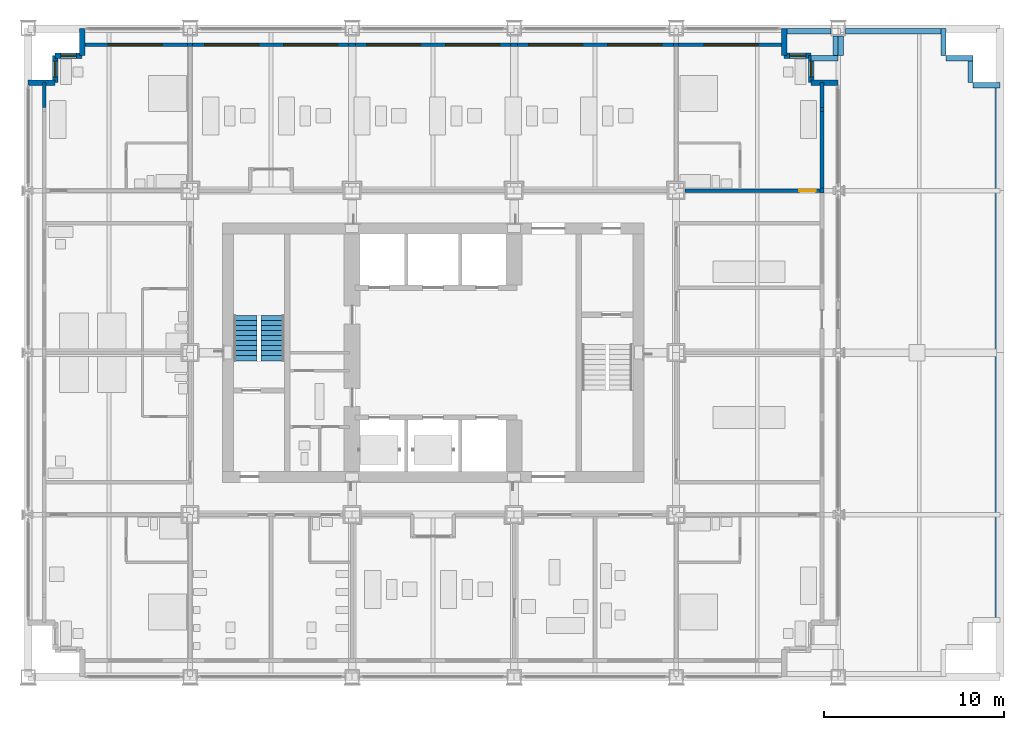
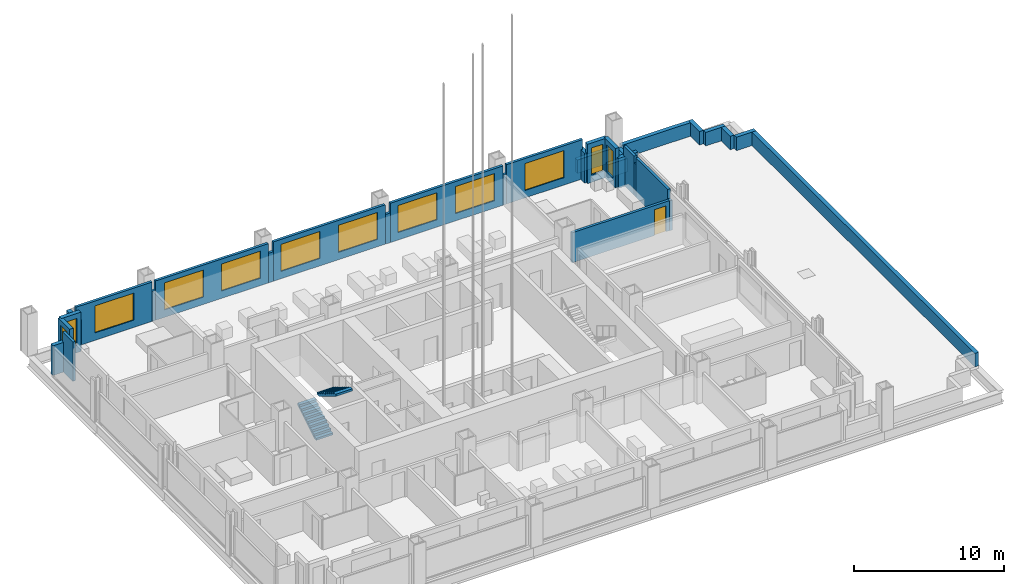
# One storey, part 14 of 19: 33 walls, 12 windows, 2 stair flights, 1 door, 13 openings, 1 element without a shape of its own.
"""IFC4 building model written with IfcOpenShell, lengths in metres."""

from ifc_helpers import new_model, si_unit, direction, frame, frame_2d, origin, place, context, subcontext, project, spatial, polyline, rectangle, outline, extrude, material, layer, layer_set, type_object, element, fill, aggregate, save


model = new_model("IFC4")

# Units and contexts
model_context = context("Model", 3, precision=1e-05, world=origin(), true_north=direction((0.0, 1.0)))
body_context = subcontext(model_context, "Body", "Model", "MODEL_VIEW")
ifc_project = project(units=[si_unit("LENGTHUNIT", "METRE"), si_unit("AREAUNIT", "SQUARE_METRE"), si_unit("VOLUMEUNIT", "CUBIC_METRE"), si_unit("PLANEANGLEUNIT", "RADIAN"), si_unit("MASSUNIT", "GRAM", prefix="KILO")], contexts=[model_context])

# Site, building, storey
site_placement = place(None, origin())
site = spatial("IfcSite", under=ifc_project, at=site_placement, CompositionType="ELEMENT")
building_placement = place(site_placement, origin())
building = spatial("IfcBuilding", under=site, at=building_placement, Name="Loomwork Tower", CompositionType="ELEMENT")
storey_placement = place(building_placement, frame((0.0, 0.0, 94.199951171875)))
storey = spatial("IfcBuildingStorey", under=building, at=storey_placement, Name="L24", CompositionType="ELEMENT", Elevation=94.199951171875)

# Wall, opening, door
ifc_material_1 = material(Name="Gypsum board on steel studs, one-hour", Category="steel")
ifc_layer_1 = layer(ifc_material_1, 0.199951171875)
ifc_layer_set_1 = layer_set([ifc_layer_1], Name="Corridor wall 200")
wall_type_1 = type_object("IfcWallType", Name="Corridor wall 200", PredefinedType="PARTITIONING", material=ifc_layer_set_1)
wall_1_placement = place(storey_placement, frame((36.5, 27.0, 0.0), z_axis=(0.0, 0.0, 1.0), x_axis=(1.0, 0.0, 0.0)))
wall_1 = element("IfcWall", 1, at=wall_1_placement, inside=storey, type_object=wall_type_1, Name="North corridor wall 5", PredefinedType="PARTITIONING", context=body_context, shape_type="SweptSolid", body=[
    extrude(rectangle(XDim=7.5, YDim=0.199951171875, at=frame_2d((3.75, 0.0))), origin(), (0.0, 0.0, 1.0), 2.43798828125),
])
opening_1_placement = place(wall_1_placement, frame((6.35009765625, 0.0, 0.0)))
opening_1 = element("IfcOpeningElement", 2, at=opening_1_placement, cuts=wall_1, Name="Opening D1", PredefinedType="OPENING", context=body_context, shape_type="SweptSolid", body=[
    extrude(rectangle(XDim=0.89990234375, YDim=2.10009765625, at=frame_2d((0.449951171875, 1.050048828125))), frame((0.0, 0.10986328125, 0.0), z_axis=(0.0, -1.0, 0.0), x_axis=(1.0, 0.0, 0.0)), (0.0, 0.0, 1.0), 0.219970703125),
])
ifc_material_2 = material(Name="Hollow metal door and frame")
door_type = type_object("IfcDoorType", Name="Guest room entry door 900", OperationType="SINGLE_SWING_LEFT", PredefinedType="DOOR", material=ifc_material_2)
door_placement = place(opening_1_placement, origin())
door = element("IfcDoor", 3, at=door_placement, inside=storey, type_object=door_type, Name="Guest room entry door L24 10", OperationType="SINGLE_SWING_RIGHT", OverallHeight=2.10009765625, OverallWidth=0.89990234375, PredefinedType="DOOR", context=body_context, shape_type="SweptSolid", body=[
    extrude(rectangle(XDim=0.89990234375, YDim=2.10009765625, at=frame_2d((0.449951171875, 1.050048828125))), frame((0.0, 0.02490234375, 0.0), z_axis=(0.0, -1.0, 0.0), x_axis=(1.0, 0.0, 0.0)), (0.0, 0.0, 1.0), 0.050048828125),
])
fill(opening_1, door)

# Wall, opening, window
ifc_material_3 = material(Name="Insulated steel stud wall with gypsum lining", Category="steel")
ifc_layer_2 = layer(ifc_material_3, 0.199951171875)
ifc_layer_set_2 = layer_set([ifc_layer_2], Name="Inner skin wall 200")
wall_type_2 = type_object("IfcWallType", Name="Inner skin wall 200", PredefinedType="SOLIDWALL", material=ifc_layer_set_2)
wall_2_placement = place(storey_placement, frame((3.0, 35.10009765625, 0.0), z_axis=(0.0, 0.0, 1.0), x_axis=(1.0, 0.0, 0.0)))
wall_2 = element("IfcWall", 4, at=wall_2_placement, inside=storey, type_object=wall_type_2, Name="Inner skin wall N", PredefinedType="SOLIDWALL", context=body_context, shape_type="SweptSolid", body=[
    extrude(rectangle(XDim=5.86474609375, YDim=0.199951171875, at=frame_2d((2.932373046875, 0.0))), origin(), (0.0, 0.0, 1.0), 3.199951171875),
])
opening_2_placement = place(wall_2_placement, frame((1.449951171875, 0.0, 0.60009765625)))
opening_2 = element("IfcOpeningElement", 5, at=opening_2_placement, cuts=wall_2, Name="Opening CH1", PredefinedType="OPENING", context=body_context, shape_type="SweptSolid", body=[
    extrude(rectangle(XDim=3.0, YDim=2.199951171875, at=frame_2d((1.5, 1.10009765625))), frame((0.0, 0.10986328125, 0.0), z_axis=(0.0, -1.0, 0.0), x_axis=(1.0, 0.0, 0.0)), (0.0, 0.0, 1.0), 0.219970703125),
])
ifc_material_4 = material(Name="Aluminium frame with clear insulated glass", Category="aluminium")
window_type_1 = type_object("IfcWindowType", Name="Chicago window 3000", PartitioningType="TRIPLE_PANEL_VERTICAL", PredefinedType="WINDOW", material=ifc_material_4)
window_1_placement = place(opening_2_placement, origin())
window_1 = element("IfcWindow", 6, at=window_1_placement, inside=storey, type_object=window_type_1, Name="Chicago window L24 bay 6", OverallHeight=2.199951171875, OverallWidth=3.0, PartitioningType="TRIPLE_PANEL_VERTICAL", PredefinedType="WINDOW", context=body_context, shape_type="SweptSolid", body=[
    extrude(rectangle(XDim=3.0, YDim=2.199951171875, at=frame_2d((1.5, 1.10009765625))), frame((0.0, 0.030029296875, 0.0), z_axis=(0.0, -1.0, 0.0), x_axis=(1.0, 0.0, 0.0)), (0.0, 0.0, 1.0), 0.06005859375),
])
fill(opening_2, window_1)

# Walls
wall_3_placement = place(storey_placement, frame((0.89990234375, 31.607421875, 0.0), z_axis=(0.0, 0.0, 1.0), x_axis=(0.0, 1.0, 0.0)))
element("IfcWall", 7, at=wall_3_placement, inside=storey, type_object=wall_type_2, Name="Inner skin wall W bay 11", PredefinedType="SOLIDWALL", context=body_context, shape_type="SweptSolid", body=[
    extrude(rectangle(XDim=1.392578125, YDim=0.199951171875, at=frame_2d((0.6962890625, 0.0))), origin(), (0.0, 0.0, 1.0), 3.199951171875),
])
wall_4_placement = place(storey_placement, frame((8.86474609375, 35.10009765625, 0.0), z_axis=(0.0, 0.0, 1.0), x_axis=(1.0, 0.0, 0.0)))
element("IfcWall", 8, at=wall_4_placement, inside=storey, type_object=wall_type_2, Name="Inner skin wall N bay 2", PredefinedType="SOLIDWALL", context=body_context, shape_type="SweptSolid", body=[
    extrude(rectangle(XDim=0.2705078125, YDim=0.199951171875, at=frame_2d((0.13525390625, 0.0))), origin(), (0.0, 0.0, 1.0), 2.43798828125),
])

# Wall, openings, windows
wall_5_placement = place(storey_placement, frame((9.13525390625, 35.10009765625, 0.0), z_axis=(0.0, 0.0, 1.0), x_axis=(1.0, 0.0, 0.0)))
wall_5 = element("IfcWall", 9, at=wall_5_placement, inside=storey, type_object=wall_type_2, Name="Inner skin wall N bay 3", PredefinedType="SOLIDWALL", context=body_context, shape_type="SweptSolid", body=[
    extrude(rectangle(XDim=8.6708984375, YDim=0.199951171875, at=frame_2d((4.33544921875, 0.0))), origin(), (0.0, 0.0, 1.0), 3.199951171875),
])
opening_3_placement = place(wall_5_placement, frame((0.664794921875, 0.0, 0.60009765625)))
opening_3 = element("IfcOpeningElement", 10, at=opening_3_placement, cuts=wall_5, Name="Opening CH1", PredefinedType="OPENING", context=body_context, shape_type="SweptSolid", body=[
    extrude(rectangle(XDim=3.0, YDim=2.199951171875, at=frame_2d((1.5, 1.10009765625))), frame((0.0, 0.10986328125, 0.0), z_axis=(0.0, -1.0, 0.0), x_axis=(1.0, 0.0, 0.0)), (0.0, 0.0, 1.0), 0.219970703125),
])
opening_4_placement = place(wall_5_placement, frame((5.064697265625, 0.0, 0.60009765625)))
opening_4 = element("IfcOpeningElement", 11, at=opening_4_placement, cuts=wall_5, Name="Opening CH1", PredefinedType="OPENING", context=body_context, shape_type="SweptSolid", body=[
    extrude(rectangle(XDim=3.0, YDim=2.199951171875, at=frame_2d((1.5, 1.10009765625))), frame((0.0, 0.10986328125, 0.0), z_axis=(0.0, -1.0, 0.0), x_axis=(1.0, 0.0, 0.0)), (0.0, 0.0, 1.0), 0.219970703125),
])
window_2_placement = place(opening_3_placement, origin())
window_2 = element("IfcWindow", 12, at=window_2_placement, inside=storey, type_object=window_type_1, Name="Chicago window L24 bay 7", OverallHeight=2.199951171875, OverallWidth=3.0, PartitioningType="TRIPLE_PANEL_VERTICAL", PredefinedType="WINDOW", context=body_context, shape_type="SweptSolid", body=[
    extrude(rectangle(XDim=3.0, YDim=2.199951171875, at=frame_2d((1.5, 1.10009765625))), frame((0.0, 0.030029296875, 0.0), z_axis=(0.0, -1.0, 0.0), x_axis=(1.0, 0.0, 0.0)), (0.0, 0.0, 1.0), 0.06005859375),
])
fill(opening_3, window_2)
window_3_placement = place(opening_4_placement, origin())
window_3 = element("IfcWindow", 13, at=window_3_placement, inside=storey, type_object=window_type_1, Name="Chicago window L24 bay 7", OverallHeight=2.199951171875, OverallWidth=3.0, PartitioningType="TRIPLE_PANEL_VERTICAL", PredefinedType="WINDOW", context=body_context, shape_type="SweptSolid", body=[
    extrude(rectangle(XDim=3.0, YDim=2.199951171875, at=frame_2d((1.5, 1.10009765625))), frame((0.0, 0.030029296875, 0.0), z_axis=(0.0, -1.0, 0.0), x_axis=(1.0, 0.0, 0.0)), (0.0, 0.0, 1.0), 0.06005859375),
])
fill(opening_4, window_3)

# Wall
wall_6_placement = place(storey_placement, frame((17.80615234375, 35.10009765625, 0.0), z_axis=(0.0, 0.0, 1.0), x_axis=(1.0, 0.0, 0.0)))
element("IfcWall", 14, at=wall_6_placement, inside=storey, type_object=wall_type_2, Name="Inner skin wall N bay 4", PredefinedType="SOLIDWALL", context=body_context, shape_type="SweptSolid", body=[
    extrude(rectangle(XDim=0.3876953125, YDim=0.199951171875, at=frame_2d((0.19384765625, 0.0))), origin(), (0.0, 0.0, 1.0), 2.404052734375),
])

# Wall, openings, windows
wall_7_placement = place(storey_placement, frame((18.19384765625, 35.10009765625, 0.0), z_axis=(0.0, 0.0, 1.0), x_axis=(1.0, 0.0, 0.0)))
wall_7 = element("IfcWall", 15, at=wall_7_placement, inside=storey, type_object=wall_type_2, Name="Inner skin wall N bay 5", PredefinedType="SOLIDWALL", context=body_context, shape_type="SweptSolid", body=[
    extrude(rectangle(XDim=8.6123046875, YDim=0.199951171875, at=frame_2d((4.30615234375, 0.0))), origin(), (0.0, 0.0, 1.0), 3.199951171875),
])
opening_5_placement = place(wall_7_placement, frame((0.606201171875, 0.0, 0.60009765625)))
opening_5 = element("IfcOpeningElement", 16, at=opening_5_placement, cuts=wall_7, Name="Opening CH1", PredefinedType="OPENING", context=body_context, shape_type="SweptSolid", body=[
    extrude(rectangle(XDim=3.0, YDim=2.199951171875, at=frame_2d((1.5, 1.10009765625))), frame((0.0, 0.10986328125, 0.0), z_axis=(0.0, -1.0, 0.0), x_axis=(1.0, 0.0, 0.0)), (0.0, 0.0, 1.0), 0.219970703125),
])
opening_6_placement = place(wall_7_placement, frame((5.006103515625, 0.0, 0.60009765625)))
opening_6 = element("IfcOpeningElement", 17, at=opening_6_placement, cuts=wall_7, Name="Opening CH1", PredefinedType="OPENING", context=body_context, shape_type="SweptSolid", body=[
    extrude(rectangle(XDim=3.0, YDim=2.199951171875, at=frame_2d((1.5, 1.10009765625))), frame((0.0, 0.10986328125, 0.0), z_axis=(0.0, -1.0, 0.0), x_axis=(1.0, 0.0, 0.0)), (0.0, 0.0, 1.0), 0.219970703125),
])
window_4_placement = place(opening_5_placement, origin())
window_4 = element("IfcWindow", 18, at=window_4_placement, inside=storey, type_object=window_type_1, Name="Chicago window L24 bay 8", OverallHeight=2.199951171875, OverallWidth=3.0, PartitioningType="TRIPLE_PANEL_VERTICAL", PredefinedType="WINDOW", context=body_context, shape_type="SweptSolid", body=[
    extrude(rectangle(XDim=3.0, YDim=2.199951171875, at=frame_2d((1.5, 1.10009765625))), frame((0.0, 0.030029296875, 0.0), z_axis=(0.0, -1.0, 0.0), x_axis=(1.0, 0.0, 0.0)), (0.0, 0.0, 1.0), 0.06005859375),
])
fill(opening_5, window_4)
window_5_placement = place(opening_6_placement, origin())
window_5 = element("IfcWindow", 19, at=window_5_placement, inside=storey, type_object=window_type_1, Name="Chicago window L24 bay 8", OverallHeight=2.199951171875, OverallWidth=3.0, PartitioningType="TRIPLE_PANEL_VERTICAL", PredefinedType="WINDOW", context=body_context, shape_type="SweptSolid", body=[
    extrude(rectangle(XDim=3.0, YDim=2.199951171875, at=frame_2d((1.5, 1.10009765625))), frame((0.0, 0.030029296875, 0.0), z_axis=(0.0, -1.0, 0.0), x_axis=(1.0, 0.0, 0.0)), (0.0, 0.0, 1.0), 0.06005859375),
])
fill(opening_6, window_5)

# Wall
wall_8_placement = place(storey_placement, frame((26.80615234375, 35.10009765625, 0.0), z_axis=(0.0, 0.0, 1.0), x_axis=(1.0, 0.0, 0.0)))
element("IfcWall", 20, at=wall_8_placement, inside=storey, type_object=wall_type_2, Name="Inner skin wall N bay 6", PredefinedType="SOLIDWALL", context=body_context, shape_type="SweptSolid", body=[
    extrude(rectangle(XDim=0.3876953125, YDim=0.199951171875, at=frame_2d((0.19384765625, 0.0))), origin(), (0.0, 0.0, 1.0), 2.404052734375),
])

# Wall, openings, windows
wall_9_placement = place(storey_placement, frame((27.19384765625, 35.10009765625, 0.0), z_axis=(0.0, 0.0, 1.0), x_axis=(1.0, 0.0, 0.0)))
wall_9 = element("IfcWall", 21, at=wall_9_placement, inside=storey, type_object=wall_type_2, Name="Inner skin wall N bay 7", PredefinedType="SOLIDWALL", context=body_context, shape_type="SweptSolid", body=[
    extrude(rectangle(XDim=8.670654296875, YDim=0.199951171875, at=frame_2d((4.33544921875, 0.0))), origin(), (0.0, 0.0, 1.0), 3.199951171875),
])
opening_7_placement = place(wall_9_placement, frame((0.606201171875, 0.0, 0.60009765625)))
opening_7 = element("IfcOpeningElement", 22, at=opening_7_placement, cuts=wall_9, Name="Opening CH1", PredefinedType="OPENING", context=body_context, shape_type="SweptSolid", body=[
    extrude(rectangle(XDim=3.0, YDim=2.199951171875, at=frame_2d((1.5, 1.10009765625))), frame((0.0, 0.10986328125, 0.0), z_axis=(0.0, -1.0, 0.0), x_axis=(1.0, 0.0, 0.0)), (0.0, 0.0, 1.0), 0.219970703125),
])
opening_8_placement = place(wall_9_placement, frame((5.006103515625, 0.0, 0.60009765625)))
opening_8 = element("IfcOpeningElement", 23, at=opening_8_placement, cuts=wall_9, Name="Opening CH1", PredefinedType="OPENING", context=body_context, shape_type="SweptSolid", body=[
    extrude(rectangle(XDim=3.0, YDim=2.199951171875, at=frame_2d((1.5, 1.10009765625))), frame((0.0, 0.10986328125, 0.0), z_axis=(0.0, -1.0, 0.0), x_axis=(1.0, 0.0, 0.0)), (0.0, 0.0, 1.0), 0.219970703125),
])
window_6_placement = place(opening_7_placement, origin())
window_6 = element("IfcWindow", 24, at=window_6_placement, inside=storey, type_object=window_type_1, Name="Chicago window L24 bay 9", OverallHeight=2.199951171875, OverallWidth=3.0, PartitioningType="TRIPLE_PANEL_VERTICAL", PredefinedType="WINDOW", context=body_context, shape_type="SweptSolid", body=[
    extrude(rectangle(XDim=3.0, YDim=2.199951171875, at=frame_2d((1.5, 1.10009765625))), frame((0.0, 0.030029296875, 0.0), z_axis=(0.0, -1.0, 0.0), x_axis=(1.0, 0.0, 0.0)), (0.0, 0.0, 1.0), 0.06005859375),
])
fill(opening_7, window_6)
window_7_placement = place(opening_8_placement, origin())
window_7 = element("IfcWindow", 25, at=window_7_placement, inside=storey, type_object=window_type_1, Name="Chicago window L24 bay 9", OverallHeight=2.199951171875, OverallWidth=3.0, PartitioningType="TRIPLE_PANEL_VERTICAL", PredefinedType="WINDOW", context=body_context, shape_type="SweptSolid", body=[
    extrude(rectangle(XDim=3.0, YDim=2.199951171875, at=frame_2d((1.5, 1.10009765625))), frame((0.0, 0.030029296875, 0.0), z_axis=(0.0, -1.0, 0.0), x_axis=(1.0, 0.0, 0.0)), (0.0, 0.0, 1.0), 0.06005859375),
])
fill(opening_8, window_7)

# Wall
wall_10_placement = place(storey_placement, frame((35.864501953125, 35.10009765625, 0.0), z_axis=(0.0, 0.0, 1.0), x_axis=(1.0, 0.0, 0.0)))
element("IfcWall", 26, at=wall_10_placement, inside=storey, type_object=wall_type_2, Name="Inner skin wall N bay 8", PredefinedType="SOLIDWALL", context=body_context, shape_type="SweptSolid", body=[
    extrude(rectangle(XDim=0.27099609375, YDim=0.199951171875, at=frame_2d((0.135498046875, 0.0))), origin(), (0.0, 0.0, 1.0), 2.43798828125),
])

# Wall, opening, window
wall_11_placement = place(storey_placement, frame((36.135498046875, 35.10009765625, 0.0), z_axis=(0.0, 0.0, 1.0), x_axis=(1.0, 0.0, 0.0)))
wall_11 = element("IfcWall", 27, at=wall_11_placement, inside=storey, type_object=wall_type_2, Name="Inner skin wall N bay 9", PredefinedType="SOLIDWALL", context=body_context, shape_type="SweptSolid", body=[
    extrude(rectangle(XDim=5.864501953125, YDim=0.199951171875, at=frame_2d((2.93212890625, 0.0))), origin(), (0.0, 0.0, 1.0), 3.199951171875),
])
opening_9_placement = place(wall_11_placement, frame((1.41455078125, 0.0, 0.60009765625)))
opening_9 = element("IfcOpeningElement", 28, at=opening_9_placement, cuts=wall_11, Name="Opening CH1", PredefinedType="OPENING", context=body_context, shape_type="SweptSolid", body=[
    extrude(rectangle(XDim=3.0, YDim=2.199951171875, at=frame_2d((1.5, 1.10009765625))), frame((0.0, 0.10986328125, 0.0), z_axis=(0.0, -1.0, 0.0), x_axis=(1.0, 0.0, 0.0)), (0.0, 0.0, 1.0), 0.219970703125),
])
window_8_placement = place(opening_9_placement, origin())
window_8 = element("IfcWindow", 29, at=window_8_placement, inside=storey, type_object=window_type_1, Name="Chicago window L24 bay 10", OverallHeight=2.199951171875, OverallWidth=3.0, PartitioningType="TRIPLE_PANEL_VERTICAL", PredefinedType="WINDOW", context=body_context, shape_type="SweptSolid", body=[
    extrude(rectangle(XDim=3.0, YDim=2.199951171875, at=frame_2d((1.5, 1.10009765625))), frame((0.0, 0.030029296875, 0.0), z_axis=(0.0, -1.0, 0.0), x_axis=(1.0, 0.0, 0.0)), (0.0, 0.0, 1.0), 0.06005859375),
])
fill(opening_9, window_8)

# Walls
wall_12_placement = place(storey_placement, frame((44.10009765625, 26.86474609375, 0.0), z_axis=(0.0, 0.0, 1.0), x_axis=(0.0, 1.0, 0.0)))
element("IfcWall", 30, at=wall_12_placement, inside=storey, type_object=wall_type_2, Name="Inner skin wall E bay 8", PredefinedType="SOLIDWALL", context=body_context, shape_type="SweptSolid", body=[
    extrude(rectangle(XDim=0.2705078125, YDim=0.199951171875, at=frame_2d((0.13525390625, 0.0))), origin(), (0.0, 0.0, 1.0), 2.43798828125),
])
wall_13_placement = place(storey_placement, frame((44.10009765625, 27.13525390625, 0.0), z_axis=(0.0, 0.0, 1.0), x_axis=(0.0, 1.0, 0.0)))
element("IfcWall", 31, at=wall_13_placement, inside=storey, type_object=wall_type_2, Name="Inner skin wall E bay 9", PredefinedType="SOLIDWALL", context=body_context, shape_type="SweptSolid", body=[
    extrude(rectangle(XDim=4.25732421875, YDim=0.199951171875, at=frame_2d((2.128662109375, 0.0))), origin(), (0.0, 0.0, 1.0), 3.199951171875),
])
wall_14_placement = place(storey_placement, frame((44.10009765625, 31.392578125, 0.0), z_axis=(0.0, 0.0, 1.0), x_axis=(0.0, 1.0, 0.0)))
element("IfcWall", 32, at=wall_14_placement, inside=storey, type_object=wall_type_2, Name="Inner skin wall E bay 10", PredefinedType="SOLIDWALL", context=body_context, shape_type="SweptSolid", body=[
    extrude(rectangle(XDim=0.21484375, YDim=0.199951171875, at=frame_2d((0.107421875, 0.0))), origin(), (0.0, 0.0, 1.0), 2.6611328125),
])
wall_15_placement = place(storey_placement, frame((44.10009765625, 31.607421875, 0.0), z_axis=(0.0, 0.0, 1.0), x_axis=(0.0, 1.0, 0.0)))
element("IfcWall", 33, at=wall_15_placement, inside=storey, type_object=wall_type_2, Name="Inner skin wall E bay 11", PredefinedType="SOLIDWALL", context=body_context, shape_type="SweptSolid", body=[
    extrude(rectangle(XDim=1.392578125, YDim=0.199951171875, at=frame_2d((0.6962890625, 0.0))), origin(), (0.0, 0.0, 1.0), 3.199951171875),
])
ifc_material_5 = material(Name="Limestone on concrete masonry", Category="masonry")
ifc_layer_3 = layer(ifc_material_5, 0.300048828125)
ifc_layer_set_3 = layer_set([ifc_layer_3], Name="Limestone corner wall 300")
wall_type_3 = type_object("IfcWallType", Name="Limestone corner wall 300", PredefinedType="SOLIDWALL", material=ifc_layer_set_3)
wall_16_placement = place(storey_placement, frame((45.0, 33.0, 0.0), z_axis=(0.0, 0.0, 1.0), x_axis=(-1.0, 0.0, 0.0)))
element("IfcWall", 34, at=wall_16_placement, inside=storey, type_object=wall_type_3, Name="Stone corner wall NE 1", PredefinedType="SOLIDWALL", context=body_context, shape_type="SweptSolid", body=[
    extrude(rectangle(XDim=1.5, YDim=0.300048828125, at=frame_2d((0.75, 0.0))), origin(), (0.0, 0.0, 1.0), 2.420166015625),
])

# Wall, opening, window
wall_17_placement = place(storey_placement, frame((43.5, 33.0, 0.0), z_axis=(0.0, 0.0, 1.0), x_axis=(0.0, 1.0, 0.0)))
wall_17 = element("IfcWall", 35, at=wall_17_placement, inside=storey, type_object=wall_type_3, Name="Stone corner wall NE 2", PredefinedType="SOLIDWALL", context=body_context, shape_type="SweptSolid", body=[
    extrude(rectangle(XDim=1.5, YDim=0.300048828125, at=frame_2d((0.75, 0.0))), origin(), (0.0, 0.0, 1.0), 3.199951171875),
])
opening_10_placement = place(wall_17_placement, frame((0.300048828125, 0.0, 0.60009765625)))
opening_10 = element("IfcOpeningElement", 36, at=opening_10_placement, cuts=wall_17, Name="Opening CH2", PredefinedType="OPENING", context=body_context, shape_type="SweptSolid", body=[
    extrude(rectangle(XDim=0.89990234375, YDim=2.199951171875, at=frame_2d((0.449951171875, 1.10009765625))), frame((0.0, 0.159912109375, 0.0), z_axis=(0.0, -1.0, 0.0), x_axis=(1.0, 0.0, 0.0)), (0.0, 0.0, 1.0), 0.320068359375),
])
ifc_material_6 = material(Name="Aluminium frame with clear insulated glass", Category="aluminium")
window_type_2 = type_object("IfcWindowType", Name="Corner window 900", PartitioningType="SINGLE_PANEL", PredefinedType="WINDOW", material=ifc_material_6)
window_9_placement = place(opening_10_placement, origin())
window_9 = element("IfcWindow", 37, at=window_9_placement, inside=storey, type_object=window_type_2, Name="Corner window NE", OverallHeight=2.199951171875, OverallWidth=0.89990234375, PartitioningType="SINGLE_PANEL", PredefinedType="WINDOW", context=body_context, shape_type="SweptSolid", body=[
    extrude(rectangle(XDim=0.89990234375, YDim=2.199951171875, at=frame_2d((0.449951171875, 1.10009765625))), frame((0.0, 0.030029296875, 0.0), z_axis=(0.0, -1.0, 0.0), x_axis=(1.0, 0.0, 0.0)), (0.0, 0.0, 1.0), 0.06005859375),
])
fill(opening_10, window_9)

wall_18_placement = place(storey_placement, frame((43.5, 34.5, 0.0), z_axis=(0.0, 0.0, 1.0), x_axis=(-1.0, 0.0, 0.0)))
wall_18 = element("IfcWall", 38, at=wall_18_placement, inside=storey, type_object=wall_type_3, Name="Stone corner wall NE 3", PredefinedType="SOLIDWALL", context=body_context, shape_type="SweptSolid", body=[
    extrude(rectangle(XDim=1.5, YDim=0.300048828125, at=frame_2d((0.75, 0.0))), origin(), (0.0, 0.0, 1.0), 3.199951171875),
])
opening_11_placement = place(wall_18_placement, frame((0.300048828125, 0.0, 0.60009765625)))
opening_11 = element("IfcOpeningElement", 39, at=opening_11_placement, cuts=wall_18, Name="Opening CH2", PredefinedType="OPENING", context=body_context, shape_type="SweptSolid", body=[
    extrude(rectangle(XDim=0.89990234375, YDim=2.199951171875, at=frame_2d((0.449951171875, 1.10009765625))), frame((0.0, 0.159912109375, 0.0), z_axis=(0.0, -1.0, 0.0), x_axis=(1.0, 0.0, 0.0)), (0.0, 0.0, 1.0), 0.320068359375),
])
window_10_placement = place(opening_11_placement, origin())
window_10 = element("IfcWindow", 40, at=window_10_placement, inside=storey, type_object=window_type_2, Name="Corner window NE", OverallHeight=2.199951171875, OverallWidth=0.89990234375, PartitioningType="SINGLE_PANEL", PredefinedType="WINDOW", context=body_context, shape_type="SweptSolid", body=[
    extrude(rectangle(XDim=0.89990234375, YDim=2.199951171875, at=frame_2d((0.449951171875, 1.10009765625))), frame((0.0, 0.030029296875, 0.0), z_axis=(0.0, -1.0, 0.0), x_axis=(1.0, 0.0, 0.0)), (0.0, 0.0, 1.0), 0.06005859375),
])
fill(opening_11, window_10)

# Walls
for number, where, z_axis, x_axis, name in (
    (41, (42.0, 34.5, 0.0), (0.0, 0.0, 1.0), (0.0, 1.0, 0.0), "Stone corner wall NE 4"),
    (42, (3.0, 36.0, 0.0), (0.0, 0.0, 1.0), (0.0, -1.0, 0.0), "Stone corner wall NW 1"),
):
    element("IfcWall", number, at=place(storey_placement, frame(where, z_axis=z_axis, x_axis=x_axis)), inside=storey, type_object=wall_type_3, Name=name, PredefinedType="SOLIDWALL", context=body_context, shape_type="SweptSolid", body=[
        extrude(rectangle(XDim=1.5, YDim=0.300048828125, at=frame_2d((0.75, 0.0))), origin(), (0.0, 0.0, 1.0), 2.420166015625),
    ])

# Wall, opening, window
wall_19_placement = place(storey_placement, frame((3.0, 34.5, 0.0), z_axis=(0.0, 0.0, 1.0), x_axis=(-1.0, 0.0, 0.0)))
wall_19 = element("IfcWall", 43, at=wall_19_placement, inside=storey, type_object=wall_type_3, Name="Stone corner wall NW 2", PredefinedType="SOLIDWALL", context=body_context, shape_type="SweptSolid", body=[
    extrude(rectangle(XDim=1.5, YDim=0.300048828125, at=frame_2d((0.75, 0.0))), origin(), (0.0, 0.0, 1.0), 3.199951171875),
])
opening_12_placement = place(wall_19_placement, frame((0.300048828125, 0.0, 0.60009765625)))
opening_12 = element("IfcOpeningElement", 44, at=opening_12_placement, cuts=wall_19, Name="Opening CH2", PredefinedType="OPENING", context=body_context, shape_type="SweptSolid", body=[
    extrude(rectangle(XDim=0.89990234375, YDim=2.199951171875, at=frame_2d((0.449951171875, 1.10009765625))), frame((0.0, 0.159912109375, 0.0), z_axis=(0.0, -1.0, 0.0), x_axis=(1.0, 0.0, 0.0)), (0.0, 0.0, 1.0), 0.320068359375),
])
window_11_placement = place(opening_12_placement, origin())
window_11 = element("IfcWindow", 45, at=window_11_placement, inside=storey, type_object=window_type_2, Name="Corner window NW", OverallHeight=2.199951171875, OverallWidth=0.89990234375, PartitioningType="SINGLE_PANEL", PredefinedType="WINDOW", context=body_context, shape_type="SweptSolid", body=[
    extrude(rectangle(XDim=0.89990234375, YDim=2.199951171875, at=frame_2d((0.449951171875, 1.10009765625))), frame((0.0, 0.030029296875, 0.0), z_axis=(0.0, -1.0, 0.0), x_axis=(1.0, 0.0, 0.0)), (0.0, 0.0, 1.0), 0.06005859375),
])
fill(opening_12, window_11)

wall_20_placement = place(storey_placement, frame((1.5, 34.5, 0.0), z_axis=(0.0, 0.0, 1.0), x_axis=(0.0, -1.0, 0.0)))
wall_20 = element("IfcWall", 46, at=wall_20_placement, inside=storey, type_object=wall_type_3, Name="Stone corner wall NW 3", PredefinedType="SOLIDWALL", context=body_context, shape_type="SweptSolid", body=[
    extrude(rectangle(XDim=1.5, YDim=0.300048828125, at=frame_2d((0.75, 0.0))), origin(), (0.0, 0.0, 1.0), 3.199951171875),
])
opening_13_placement = place(wall_20_placement, frame((0.300048828125, 0.0, 0.60009765625)))
opening_13 = element("IfcOpeningElement", 47, at=opening_13_placement, cuts=wall_20, Name="Opening CH2", PredefinedType="OPENING", context=body_context, shape_type="SweptSolid", body=[
    extrude(rectangle(XDim=0.89990234375, YDim=2.199951171875, at=frame_2d((0.449951171875, 1.10009765625))), frame((0.0, 0.159912109375, 0.0), z_axis=(0.0, -1.0, 0.0), x_axis=(1.0, 0.0, 0.0)), (0.0, 0.0, 1.0), 0.320068359375),
])
window_12_placement = place(opening_13_placement, origin())
window_12 = element("IfcWindow", 48, at=window_12_placement, inside=storey, type_object=window_type_2, Name="Corner window NW", OverallHeight=2.199951171875, OverallWidth=0.89990234375, PartitioningType="SINGLE_PANEL", PredefinedType="WINDOW", context=body_context, shape_type="SweptSolid", body=[
    extrude(rectangle(XDim=0.89990234375, YDim=2.199951171875, at=frame_2d((0.449951171875, 1.10009765625))), frame((0.0, 0.030029296875, 0.0), z_axis=(0.0, -1.0, 0.0), x_axis=(1.0, 0.0, 0.0)), (0.0, 0.0, 1.0), 0.06005859375),
])
fill(opening_13, window_12)

# Walls
wall_21_placement = place(storey_placement, frame((1.5, 33.0, 0.0), z_axis=(0.0, 0.0, 1.0), x_axis=(-1.0, 0.0, 0.0)))
element("IfcWall", 49, at=wall_21_placement, inside=storey, type_object=wall_type_3, Name="Stone corner wall NW 4", PredefinedType="SOLIDWALL", context=body_context, shape_type="SweptSolid", body=[
    extrude(rectangle(XDim=1.5, YDim=0.300048828125, at=frame_2d((0.75, 0.0))), origin(), (0.0, 0.0, 1.0), 2.420166015625),
])
ifc_material_7 = material(Name="Limestone on concrete masonry", Category="masonry")
ifc_layer_4 = layer(ifc_material_7, 0.300048828125)
ifc_layer_set_4 = layer_set([ifc_layer_4], Name="Parapet wall 300")
wall_type_4 = type_object("IfcWallType", Name="Parapet wall 300", PredefinedType="PARAPET", material=ifc_layer_set_4)
wall_22_placement = place(storey_placement, frame((42.0, 35.85009765625, 0.0), z_axis=(0.0, 0.0, 1.0), x_axis=(1.0, 0.0, 0.0)))
element("IfcWall", 50, at=wall_22_placement, inside=storey, type_object=wall_type_4, Name="Parapet L24 1", PredefinedType="PARAPET", context=body_context, shape_type="SweptSolid", body=[
    extrude(rectangle(XDim=2.60009765625, YDim=0.300048828125, at=frame_2d((1.300048828125, 0.0))), origin(), (0.0, 0.0, 1.0), 1.10009765625),
])
wall_23_placement = place(storey_placement, frame((44.85009765625, 35.60009765625, 0.0), z_axis=(0.0, 0.0, 1.0), x_axis=(0.0, -1.0, 0.0)))
element("IfcWall", 51, at=wall_23_placement, inside=storey, type_object=wall_type_4, Name="Parapet L24 2", PredefinedType="PARAPET", context=body_context, shape_type="SweptSolid", body=[
    extrude(rectangle(XDim=1.10009765625, YDim=0.300048828125, at=frame_2d((0.550048828125, 0.0))), origin(), (0.0, 0.0, 1.0), 1.10009765625),
])
wall_24_placement = place(storey_placement, frame((43.5, 34.35009765625, 0.0), z_axis=(0.0, 0.0, 1.0), x_axis=(1.0, 0.0, 0.0)))
element("IfcWall", 52, at=wall_24_placement, inside=storey, type_object=wall_type_4, Name="Parapet L24 1", PredefinedType="PARAPET", context=body_context, shape_type="SweptSolid", body=[
    extrude(rectangle(XDim=1.5, YDim=0.300048828125, at=frame_2d((0.75, 0.0))), origin(), (0.0, 0.0, 1.0), 1.10009765625),
])
wall_25_placement = place(storey_placement, frame((45.14990234375, 34.5, 0.0), z_axis=(0.0, 0.0, 1.0), x_axis=(0.0, 1.0, 0.0)))
element("IfcWall", 53, at=wall_25_placement, inside=storey, type_object=wall_type_4, Name="Parapet L24 2", PredefinedType="PARAPET", context=body_context, shape_type="SweptSolid", body=[
    extrude(rectangle(XDim=1.10009765625, YDim=0.300048828125, at=frame_2d((0.550048828125, 0.0))), origin(), (0.0, 0.0, 1.0), 1.10009765625),
])
wall_26_placement = place(storey_placement, frame((45.39990234375, 35.85009765625, 0.0), z_axis=(0.0, 0.0, 1.0), x_axis=(1.0, 0.0, 0.0)))
element("IfcWall", 54, at=wall_26_placement, inside=storey, type_object=wall_type_4, Name="Parapet L24 3", PredefinedType="PARAPET", context=body_context, shape_type="SweptSolid", body=[
    extrude(rectangle(XDim=5.60009765625, YDim=0.300048828125, at=frame_2d((2.800048828125, 0.0))), origin(), (0.0, 0.0, 1.0), 1.10009765625),
])
for number, where, z_axis, x_axis, name in (
    (55, (50.85009765625, 36.0, 0.0), (0.0, 0.0, 1.0), (0.0, -1.0, 0.0), "Parapet L24 4"),
    (56, (51.0, 34.35009765625, 0.0), (0.0, 0.0, 1.0), (1.0, 0.0, 0.0), "Parapet L24 5"),
    (57, (52.35009765625, 34.5, 0.0), (0.0, 0.0, 1.0), (0.0, -1.0, 0.0), "Parapet L24 6"),
    (58, (52.5, 32.85009765625, 0.0), (0.0, 0.0, 1.0), (1.0, 0.0, 0.0), "Parapet L24 7"),
):
    element("IfcWall", number, at=place(storey_placement, frame(where, z_axis=z_axis, x_axis=x_axis)), inside=storey, type_object=wall_type_4, Name=name, PredefinedType="PARAPET", context=body_context, shape_type="SweptSolid", body=[
        extrude(rectangle(XDim=1.5, YDim=0.300048828125, at=frame_2d((0.75, 0.0))), origin(), (0.0, 0.0, 1.0), 1.10009765625),
    ])
wall_27_placement = place(storey_placement, frame((53.85009765625, 33.0, 0.0), z_axis=(0.0, 0.0, 1.0), x_axis=(0.0, -1.0, 0.0)))
element("IfcWall", 59, at=wall_27_placement, inside=storey, type_object=wall_type_4, Name="Parapet L24 8", PredefinedType="PARAPET", context=body_context, shape_type="SweptSolid", body=[
    extrude(rectangle(XDim=30.0, YDim=0.300048828125, at=frame_2d((15.0, 0.0))), origin(), (0.0, 0.0, 1.0), 1.10009765625),
])

# Stair, stair flights
ifc_material_8 = material(Name="Concrete 5000 psi (34 MPa) precast stair", Category="concrete")
stair_type = type_object("IfcStairType", Name="Stair ST-A 20 risers 2850 wide", PredefinedType="HALF_TURN_STAIR", material=ifc_material_8)
stair_placement = place(storey_placement, origin())
stair = element("IfcStair", 60, at=stair_placement, inside=storey, type_object=stair_type, Name="Stair A L24", PredefinedType="HALF_TURN_STAIR")
ifc_material_9 = material(Name="Concrete 5000 psi (34 MPa) precast stair", Category="concrete")
stair_flight_type = type_object("IfcStairFlightType", Name="Stair flight ST-A 10 risers 1300 wide", PredefinedType="STRAIGHT", material=ifc_material_9)
stair_flight_1_placement = place(storey_placement, frame((12.074951171875, 17.550048828125, 0.0), z_axis=(0.0, 0.0, 1.0), x_axis=(0.0, 1.0, 0.0)))
stair_flight_1 = element("IfcStairFlight", 61, at=stair_flight_1_placement, type_object=stair_flight_type, Name="ST-A flight 1", NumberOfRisers=10, NumberOfTreads=9, PredefinedType="STRAIGHT", RiserHeight=0.17, TreadLength=0.28, context=body_context, shape_type="SweptSolid", body=[
    extrude(outline(polyline([(0.0, 0.0), (0.0, 0.169921875), (0.280029296875, 0.169921875), (0.280029296875, 0.340087890625), (0.56005859375, 0.340087890625), (0.56005859375, 0.510009765625), (0.840087890625, 0.510009765625), (0.840087890625, 0.679931640625), (1.1201171875, 0.679931640625), (1.1201171875, 0.85009765625), (1.39990234375, 0.85009765625), (1.39990234375, 1.02001953125), (1.679931640625, 1.02001953125), (1.679931640625, 1.18994140625), (1.9599609375, 1.18994140625), (1.9599609375, 1.360107421875), (2.239990234375, 1.360107421875), (2.239990234375, 1.530029296875), (2.52001953125, 1.530029296875), (2.52001953125, 1.699951171875), (2.52001953125, 1.354736328125), (0.288818359375, 0.0), (0.0, 0.0)])), frame((0.0, 0.64990234375, 0.0), z_axis=(0.0, -1.0, 0.0), x_axis=(1.0, 0.0, 0.0)), (0.0, 0.0, 1.0), 1.300048828125),
])
stair_flight_2_placement = place(storey_placement, frame((13.574951171875, 20.070068359375, 1.699951171875), z_axis=(0.0, 0.0, 1.0), x_axis=(0.0, -1.0, 0.0)))
stair_flight_2 = element("IfcStairFlight", 62, at=stair_flight_2_placement, type_object=stair_flight_type, Name="ST-A flight 2", NumberOfRisers=10, NumberOfTreads=9, PredefinedType="STRAIGHT", RiserHeight=0.17, TreadLength=0.28, context=body_context, shape_type="SweptSolid", body=[
    extrude(outline(polyline([(0.0, 0.0), (0.0, 0.169921875), (0.280029296875, 0.169921875), (0.280029296875, 0.340087890625), (0.56005859375, 0.340087890625), (0.56005859375, 0.510009765625), (0.840087890625, 0.510009765625), (0.840087890625, 0.679931640625), (1.1201171875, 0.679931640625), (1.1201171875, 0.85009765625), (1.39990234375, 0.85009765625), (1.39990234375, 1.02001953125), (1.679931640625, 1.02001953125), (1.679931640625, 1.18994140625), (1.9599609375, 1.18994140625), (1.9599609375, 1.360107421875), (2.239990234375, 1.360107421875), (2.239990234375, 1.530029296875), (2.52001953125, 1.530029296875), (2.52001953125, 1.699951171875), (2.52001953125, 1.354736328125), (0.288818359375, 0.0), (0.0, 0.0)])), frame((0.0, 0.64990234375, 0.0), z_axis=(0.0, -1.0, 0.0), x_axis=(1.0, 0.0, 0.0)), (0.0, 0.0, 1.0), 1.300048828125),
])
aggregate(stair, [stair_flight_1, stair_flight_2])

save(model, "model.ifc")
